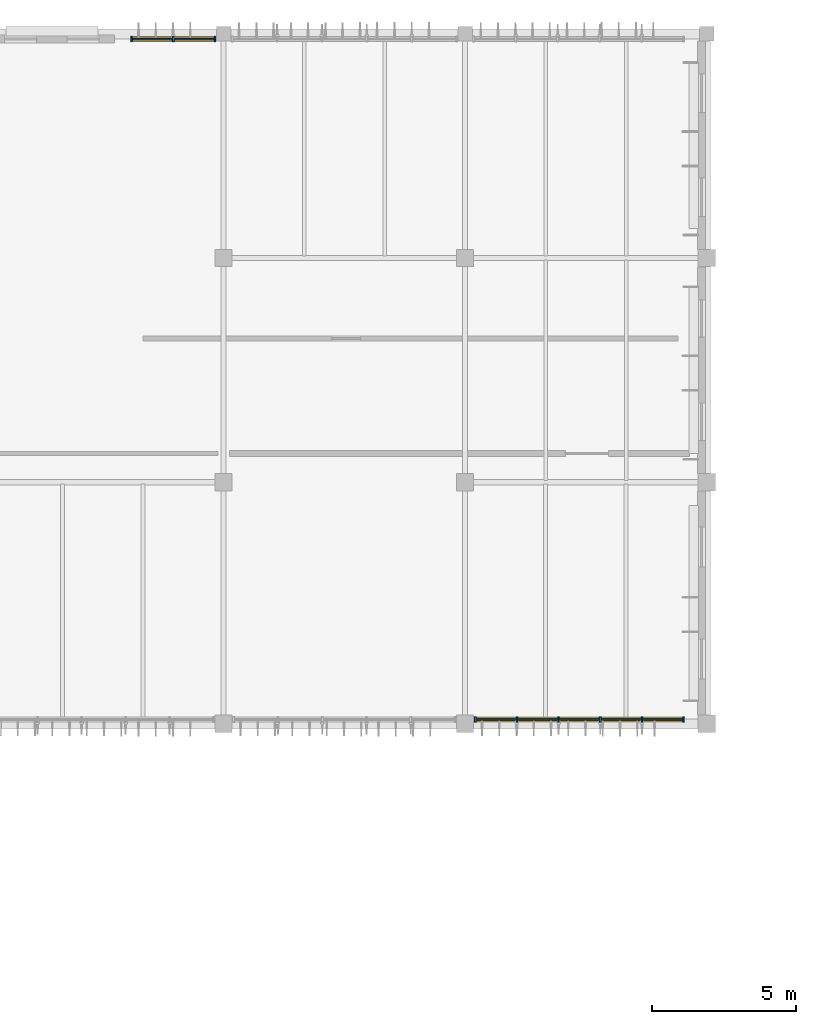
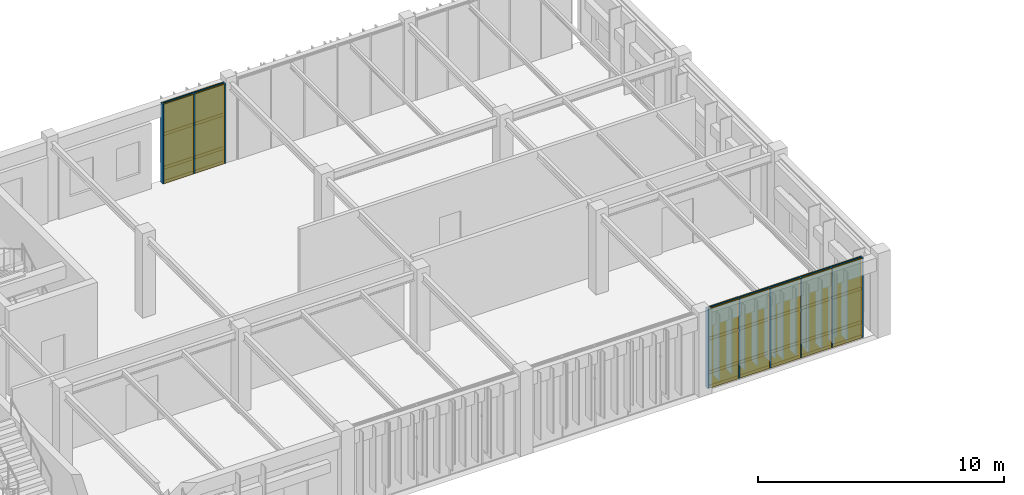
# One storey, part 87 of 104: 37 members, 21 plates, 2 curtain walls.
"""IFC4 building model written with IfcOpenShell, lengths in metres."""

from ifc_helpers import new_model, si_unit, direction, frame, frame_2d, origin, origin_2d, place, context, subcontext, project, spatial, rectangle, extrude, material, layer, layer_set, material_profile, profile_set, type_object, element, aggregate, save


model = new_model("IFC4")

# Units and contexts
model_context = context("Model", 3, precision=1e-05, world=origin(), true_north=direction((0.0, 1.0)))
body_context = subcontext(model_context, "Body", "Model", "MODEL_VIEW")
ifc_project = project(units=[si_unit("LENGTHUNIT", "METRE"), si_unit("AREAUNIT", "SQUARE_METRE"), si_unit("VOLUMEUNIT", "CUBIC_METRE"), si_unit("PLANEANGLEUNIT", "RADIAN"), si_unit("MASSUNIT", "GRAM", prefix="KILO")], contexts=[model_context])

# Member
ifc_material_1 = material(Name="Anodised Bronze Aluminium 6063-T6", Category="aluminium")
ifc_material_profile_1 = material_profile(ifc_material_1, rectangle(XDim=0.06005859375, YDim=0.179931640625, at=origin_2d()), Name="ALU MULLION 60x180")
ifc_profile_set_1 = profile_set([ifc_material_profile_1], Name="Anodised Bronze Aluminium 6063-T6")
member_type_1 = type_object("IfcMemberType", Name="Curtain-Wall Primary Mullion 60x180", PredefinedType="MULLION", material=ifc_profile_set_1)
site_placement = place(None, origin())
building_placement = place(site_placement, origin())
storey_placement = place(building_placement, frame((0.0, 0.0, 9.0)))
member_1_placement = place(storey_placement, frame((130.60009765625, 111.6201171875, 0.0), z_axis=(0.0, 0.0, 1.0), x_axis=(1.0, 0.0, 0.0)))
member_1 = element("IfcMember", 1, at=member_1_placement, type_object=member_type_1, Name="Mullion CWM-01 CW-V3-N3-L02-B1-M01", PredefinedType="MULLION", context=body_context, shape_type="SweptSolid", body=[
    extrude(rectangle(XDim=0.06005859375, YDim=0.179931640625, at=origin_2d()), origin(), (0.0, 0.0, 1.0), 3.9599609375),
])

member_2_placement = place(storey_placement, frame((132.050048828125, 111.6201171875, 0.0), z_axis=(0.0, 0.0, 1.0), x_axis=(1.0, 0.0, 0.0)))
member_2 = element("IfcMember", 2, at=member_2_placement, type_object=member_type_1, Name="Mullion CWM-01 CW-V3-N3-L02-B1-M02", PredefinedType="MULLION", context=body_context, shape_type="SweptSolid", body=[
    extrude(rectangle(XDim=0.06005859375, YDim=0.179931640625, at=origin_2d()), origin(), (0.0, 0.0, 1.0), 3.9599609375),
])

member_3_placement = place(storey_placement, frame((133.5, 111.6201171875, 0.0), z_axis=(0.0, 0.0, 1.0), x_axis=(1.0, 0.0, 0.0)))
member_3 = element("IfcMember", 3, at=member_3_placement, type_object=member_type_1, Name="Mullion CWM-01 CW-V3-N3-L02-B1-M03", PredefinedType="MULLION", context=body_context, shape_type="SweptSolid", body=[
    extrude(rectangle(XDim=0.06005859375, YDim=0.179931640625, at=origin_2d()), origin(), (0.0, 0.0, 1.0), 3.9599609375),
])

member_4_placement = place(storey_placement, frame((142.550048828125, 87.949951171875, 0.0), z_axis=(0.0, 0.0, 1.0), x_axis=(1.0, 0.0, 0.0)))
member_4 = element("IfcMember", 4, at=member_4_placement, type_object=member_type_1, Name="Mullion CWM-01 CW-V3-S2-L02-B3-M01", PredefinedType="MULLION", context=body_context, shape_type="SweptSolid", body=[
    extrude(rectangle(XDim=0.06005859375, YDim=0.179931640625, at=origin_2d()), origin(), (0.0, 0.0, 1.0), 3.9599609375),
])

member_5_placement = place(storey_placement, frame((144.0, 87.949951171875, 0.0), z_axis=(0.0, 0.0, 1.0), x_axis=(1.0, 0.0, 0.0)))
member_5 = element("IfcMember", 5, at=member_5_placement, type_object=member_type_1, Name="Mullion CWM-01 CW-V3-S2-L02-B3-M02", PredefinedType="MULLION", context=body_context, shape_type="SweptSolid", body=[
    extrude(rectangle(XDim=0.06005859375, YDim=0.179931640625, at=origin_2d()), origin(), (0.0, 0.0, 1.0), 3.9599609375),
])

member_6_placement = place(storey_placement, frame((145.449951171875, 87.949951171875, 0.0), z_axis=(0.0, 0.0, 1.0), x_axis=(1.0, 0.0, 0.0)))
member_6 = element("IfcMember", 6, at=member_6_placement, type_object=member_type_1, Name="Mullion CWM-01 CW-V3-S2-L02-B3-M03", PredefinedType="MULLION", context=body_context, shape_type="SweptSolid", body=[
    extrude(rectangle(XDim=0.06005859375, YDim=0.179931640625, at=origin_2d()), origin(), (0.0, 0.0, 1.0), 3.9599609375),
])

member_7_placement = place(storey_placement, frame((146.89990234375, 87.949951171875, 0.0), z_axis=(0.0, 0.0, 1.0), x_axis=(1.0, 0.0, 0.0)))
member_7 = element("IfcMember", 7, at=member_7_placement, type_object=member_type_1, Name="Mullion CWM-01 CW-V3-S2-L02-B3-M04", PredefinedType="MULLION", context=body_context, shape_type="SweptSolid", body=[
    extrude(rectangle(XDim=0.06005859375, YDim=0.179931640625, at=origin_2d()), origin(), (0.0, 0.0, 1.0), 3.9599609375),
])

member_8_placement = place(storey_placement, frame((148.35009765625, 87.949951171875, 0.0), z_axis=(0.0, 0.0, 1.0), x_axis=(1.0, 0.0, 0.0)))
member_8 = element("IfcMember", 8, at=member_8_placement, type_object=member_type_1, Name="Mullion CWM-01 CW-V3-S2-L02-B3-M05", PredefinedType="MULLION", context=body_context, shape_type="SweptSolid", body=[
    extrude(rectangle(XDim=0.06005859375, YDim=0.179931640625, at=origin_2d()), origin(), (0.0, 0.0, 1.0), 3.9599609375),
])

member_9_placement = place(storey_placement, frame((149.800048828125, 87.949951171875, 0.0), z_axis=(0.0, 0.0, 1.0), x_axis=(1.0, 0.0, 0.0)))
member_9 = element("IfcMember", 9, at=member_9_placement, type_object=member_type_1, Name="Mullion CWM-01 CW-V3-S2-L02-B3-M06", PredefinedType="MULLION", context=body_context, shape_type="SweptSolid", body=[
    extrude(rectangle(XDim=0.06005859375, YDim=0.179931640625, at=origin_2d()), origin(), (0.0, 0.0, 1.0), 3.9599609375),
])

ifc_material_profile_2 = material_profile(ifc_material_1, rectangle(XDim=0.06005859375, YDim=0.139892578125, at=origin_2d()), Name="ALU TRANSOM 60x140")
ifc_profile_set_2 = profile_set([ifc_material_profile_2], Name="Anodised Bronze Aluminium 6063-T6")
member_type_2 = type_object("IfcMemberType", Name="Curtain-Wall Transom 60x140", PredefinedType="USERDEFINED", material=ifc_profile_set_2)
member_10_placement = place(storey_placement, frame((130.635009765625, 111.6201171875, 0.0400390625), z_axis=(1.0, 0.0, 0.0), x_axis=(0.0, 1.0, 0.0)))
member_10 = element("IfcMember", 10, at=member_10_placement, type_object=member_type_2, Name="Transom CWT-01 CW-V3-N3-L02-B1-T01.1", ObjectType="TRANSOM", PredefinedType="USERDEFINED", context=body_context, shape_type="SweptSolid", body=[
    extrude(rectangle(XDim=0.06005859375, YDim=0.139892578125, at=origin_2d()), origin(), (0.0, 0.0, 1.0), 1.3798828125),
])

member_11_placement = place(storey_placement, frame((130.635009765625, 111.6201171875, 0.75), z_axis=(1.0, 0.0, 0.0), x_axis=(0.0, 1.0, 0.0)))
member_11 = element("IfcMember", 11, at=member_11_placement, type_object=member_type_2, Name="Transom CWT-01 CW-V3-N3-L02-B1-T01.2", ObjectType="TRANSOM", PredefinedType="USERDEFINED", context=body_context, shape_type="SweptSolid", body=[
    extrude(rectangle(XDim=0.06005859375, YDim=0.139892578125, at=origin_2d()), origin(), (0.0, 0.0, 1.0), 1.3798828125),
])

member_12_placement = place(storey_placement, frame((130.635009765625, 111.6201171875, 2.419189453125), z_axis=(1.0, 0.0, 0.0), x_axis=(0.0, 1.0, 0.0)))
member_12 = element("IfcMember", 12, at=member_12_placement, type_object=member_type_2, Name="Transom CWT-01 CW-V3-N3-L02-B1-T01.3", ObjectType="TRANSOM", PredefinedType="USERDEFINED", context=body_context, shape_type="SweptSolid", body=[
    extrude(rectangle(XDim=0.06005859375, YDim=0.139892578125, at=origin_2d()), origin(), (0.0, 0.0, 1.0), 1.3798828125),
])

member_13_placement = place(storey_placement, frame((130.635009765625, 111.6201171875, 3.919921875), z_axis=(1.0, 0.0, 0.0), x_axis=(0.0, 1.0, 0.0)))
member_13 = element("IfcMember", 13, at=member_13_placement, type_object=member_type_2, Name="Transom CWT-01 CW-V3-N3-L02-B1-T01.4", ObjectType="TRANSOM", PredefinedType="USERDEFINED", context=body_context, shape_type="SweptSolid", body=[
    extrude(rectangle(XDim=0.06005859375, YDim=0.139892578125, at=origin_2d()), origin(), (0.0, 0.0, 1.0), 1.3798828125),
])

member_14_placement = place(storey_placement, frame((132.0849609375, 111.6201171875, 0.0400390625), z_axis=(1.0, 0.0, 0.0), x_axis=(0.0, 1.0, 0.0)))
member_14 = element("IfcMember", 14, at=member_14_placement, type_object=member_type_2, Name="Transom CWT-01 CW-V3-N3-L02-B1-T02.1", ObjectType="TRANSOM", PredefinedType="USERDEFINED", context=body_context, shape_type="SweptSolid", body=[
    extrude(rectangle(XDim=0.06005859375, YDim=0.139892578125, at=origin_2d()), origin(), (0.0, 0.0, 1.0), 1.380126953125),
])

member_15_placement = place(storey_placement, frame((132.0849609375, 111.6201171875, 0.75), z_axis=(1.0, 0.0, 0.0), x_axis=(0.0, 1.0, 0.0)))
member_15 = element("IfcMember", 15, at=member_15_placement, type_object=member_type_2, Name="Transom CWT-01 CW-V3-N3-L02-B1-T02.2", ObjectType="TRANSOM", PredefinedType="USERDEFINED", context=body_context, shape_type="SweptSolid", body=[
    extrude(rectangle(XDim=0.06005859375, YDim=0.139892578125, at=origin_2d()), origin(), (0.0, 0.0, 1.0), 1.380126953125),
])

member_16_placement = place(storey_placement, frame((132.0849609375, 111.6201171875, 2.419189453125), z_axis=(1.0, 0.0, 0.0), x_axis=(0.0, 1.0, 0.0)))
member_16 = element("IfcMember", 16, at=member_16_placement, type_object=member_type_2, Name="Transom CWT-01 CW-V3-N3-L02-B1-T02.3", ObjectType="TRANSOM", PredefinedType="USERDEFINED", context=body_context, shape_type="SweptSolid", body=[
    extrude(rectangle(XDim=0.06005859375, YDim=0.139892578125, at=origin_2d()), origin(), (0.0, 0.0, 1.0), 1.380126953125),
])

member_17_placement = place(storey_placement, frame((132.0849609375, 111.6201171875, 3.919921875), z_axis=(1.0, 0.0, 0.0), x_axis=(0.0, 1.0, 0.0)))
member_17 = element("IfcMember", 17, at=member_17_placement, type_object=member_type_2, Name="Transom CWT-01 CW-V3-N3-L02-B1-T02.4", ObjectType="TRANSOM", PredefinedType="USERDEFINED", context=body_context, shape_type="SweptSolid", body=[
    extrude(rectangle(XDim=0.06005859375, YDim=0.139892578125, at=origin_2d()), origin(), (0.0, 0.0, 1.0), 1.380126953125),
])

member_18_placement = place(storey_placement, frame((142.5849609375, 87.949951171875, 0.0400390625), z_axis=(1.0, 0.0, 0.0), x_axis=(0.0, 1.0, 0.0)))
member_18 = element("IfcMember", 18, at=member_18_placement, type_object=member_type_2, Name="Transom CWT-01 CW-V3-S2-L02-B3-T01.1", ObjectType="TRANSOM", PredefinedType="USERDEFINED", context=body_context, shape_type="SweptSolid", body=[
    extrude(rectangle(XDim=0.06005859375, YDim=0.139892578125, at=origin_2d()), origin(), (0.0, 0.0, 1.0), 1.380126953125),
])

member_19_placement = place(storey_placement, frame((142.5849609375, 87.949951171875, 0.75), z_axis=(1.0, 0.0, 0.0), x_axis=(0.0, 1.0, 0.0)))
member_19 = element("IfcMember", 19, at=member_19_placement, type_object=member_type_2, Name="Transom CWT-01 CW-V3-S2-L02-B3-T01.2", ObjectType="TRANSOM", PredefinedType="USERDEFINED", context=body_context, shape_type="SweptSolid", body=[
    extrude(rectangle(XDim=0.06005859375, YDim=0.139892578125, at=origin_2d()), origin(), (0.0, 0.0, 1.0), 1.380126953125),
])

member_20_placement = place(storey_placement, frame((142.5849609375, 87.949951171875, 2.419189453125), z_axis=(1.0, 0.0, 0.0), x_axis=(0.0, 1.0, 0.0)))
member_20 = element("IfcMember", 20, at=member_20_placement, type_object=member_type_2, Name="Transom CWT-01 CW-V3-S2-L02-B3-T01.3", ObjectType="TRANSOM", PredefinedType="USERDEFINED", context=body_context, shape_type="SweptSolid", body=[
    extrude(rectangle(XDim=0.06005859375, YDim=0.139892578125, at=origin_2d()), origin(), (0.0, 0.0, 1.0), 1.380126953125),
])

member_21_placement = place(storey_placement, frame((142.5849609375, 87.949951171875, 3.919921875), z_axis=(1.0, 0.0, 0.0), x_axis=(0.0, 1.0, 0.0)))
member_21 = element("IfcMember", 21, at=member_21_placement, type_object=member_type_2, Name="Transom CWT-01 CW-V3-S2-L02-B3-T01.4", ObjectType="TRANSOM", PredefinedType="USERDEFINED", context=body_context, shape_type="SweptSolid", body=[
    extrude(rectangle(XDim=0.06005859375, YDim=0.139892578125, at=origin_2d()), origin(), (0.0, 0.0, 1.0), 1.380126953125),
])

member_22_placement = place(storey_placement, frame((144.034912109375, 87.949951171875, 0.0400390625), z_axis=(1.0, 0.0, 0.0), x_axis=(0.0, 1.0, 0.0)))
member_22 = element("IfcMember", 22, at=member_22_placement, type_object=member_type_2, Name="Transom CWT-01 CW-V3-S2-L02-B3-T02.1", ObjectType="TRANSOM", PredefinedType="USERDEFINED", context=body_context, shape_type="SweptSolid", body=[
    extrude(rectangle(XDim=0.06005859375, YDim=0.139892578125, at=origin_2d()), origin(), (0.0, 0.0, 1.0), 1.380126953125),
])

member_23_placement = place(storey_placement, frame((144.034912109375, 87.949951171875, 0.75), z_axis=(1.0, 0.0, 0.0), x_axis=(0.0, 1.0, 0.0)))
member_23 = element("IfcMember", 23, at=member_23_placement, type_object=member_type_2, Name="Transom CWT-01 CW-V3-S2-L02-B3-T02.2", ObjectType="TRANSOM", PredefinedType="USERDEFINED", context=body_context, shape_type="SweptSolid", body=[
    extrude(rectangle(XDim=0.06005859375, YDim=0.139892578125, at=origin_2d()), origin(), (0.0, 0.0, 1.0), 1.380126953125),
])

member_24_placement = place(storey_placement, frame((144.034912109375, 87.949951171875, 2.419189453125), z_axis=(1.0, 0.0, 0.0), x_axis=(0.0, 1.0, 0.0)))
member_24 = element("IfcMember", 24, at=member_24_placement, type_object=member_type_2, Name="Transom CWT-01 CW-V3-S2-L02-B3-T02.3", ObjectType="TRANSOM", PredefinedType="USERDEFINED", context=body_context, shape_type="SweptSolid", body=[
    extrude(rectangle(XDim=0.06005859375, YDim=0.139892578125, at=origin_2d()), origin(), (0.0, 0.0, 1.0), 1.380126953125),
])

member_25_placement = place(storey_placement, frame((144.034912109375, 87.949951171875, 3.919921875), z_axis=(1.0, 0.0, 0.0), x_axis=(0.0, 1.0, 0.0)))
member_25 = element("IfcMember", 25, at=member_25_placement, type_object=member_type_2, Name="Transom CWT-01 CW-V3-S2-L02-B3-T02.4", ObjectType="TRANSOM", PredefinedType="USERDEFINED", context=body_context, shape_type="SweptSolid", body=[
    extrude(rectangle(XDim=0.06005859375, YDim=0.139892578125, at=origin_2d()), origin(), (0.0, 0.0, 1.0), 1.380126953125),
])

member_26_placement = place(storey_placement, frame((145.485107421875, 87.949951171875, 0.0400390625), z_axis=(1.0, 0.0, 0.0), x_axis=(0.0, 1.0, 0.0)))
member_26 = element("IfcMember", 26, at=member_26_placement, type_object=member_type_2, Name="Transom CWT-01 CW-V3-S2-L02-B3-T03.1", ObjectType="TRANSOM", PredefinedType="USERDEFINED", context=body_context, shape_type="SweptSolid", body=[
    extrude(rectangle(XDim=0.06005859375, YDim=0.139892578125, at=origin_2d()), origin(), (0.0, 0.0, 1.0), 1.3798828125),
])

member_27_placement = place(storey_placement, frame((145.485107421875, 87.949951171875, 0.75), z_axis=(1.0, 0.0, 0.0), x_axis=(0.0, 1.0, 0.0)))
member_27 = element("IfcMember", 27, at=member_27_placement, type_object=member_type_2, Name="Transom CWT-01 CW-V3-S2-L02-B3-T03.2", ObjectType="TRANSOM", PredefinedType="USERDEFINED", context=body_context, shape_type="SweptSolid", body=[
    extrude(rectangle(XDim=0.06005859375, YDim=0.139892578125, at=origin_2d()), origin(), (0.0, 0.0, 1.0), 1.3798828125),
])

member_28_placement = place(storey_placement, frame((145.485107421875, 87.949951171875, 2.419189453125), z_axis=(1.0, 0.0, 0.0), x_axis=(0.0, 1.0, 0.0)))
member_28 = element("IfcMember", 28, at=member_28_placement, type_object=member_type_2, Name="Transom CWT-01 CW-V3-S2-L02-B3-T03.3", ObjectType="TRANSOM", PredefinedType="USERDEFINED", context=body_context, shape_type="SweptSolid", body=[
    extrude(rectangle(XDim=0.06005859375, YDim=0.139892578125, at=origin_2d()), origin(), (0.0, 0.0, 1.0), 1.3798828125),
])

member_29_placement = place(storey_placement, frame((145.485107421875, 87.949951171875, 3.919921875), z_axis=(1.0, 0.0, 0.0), x_axis=(0.0, 1.0, 0.0)))
member_29 = element("IfcMember", 29, at=member_29_placement, type_object=member_type_2, Name="Transom CWT-01 CW-V3-S2-L02-B3-T03.4", ObjectType="TRANSOM", PredefinedType="USERDEFINED", context=body_context, shape_type="SweptSolid", body=[
    extrude(rectangle(XDim=0.06005859375, YDim=0.139892578125, at=origin_2d()), origin(), (0.0, 0.0, 1.0), 1.3798828125),
])

member_30_placement = place(storey_placement, frame((146.93505859375, 87.949951171875, 0.0400390625), z_axis=(1.0, 0.0, 0.0), x_axis=(0.0, 1.0, 0.0)))
member_30 = element("IfcMember", 30, at=member_30_placement, type_object=member_type_2, Name="Transom CWT-01 CW-V3-S2-L02-B3-T04.1", ObjectType="TRANSOM", PredefinedType="USERDEFINED", context=body_context, shape_type="SweptSolid", body=[
    extrude(rectangle(XDim=0.06005859375, YDim=0.139892578125, at=origin_2d()), origin(), (0.0, 0.0, 1.0), 1.3798828125),
])

member_31_placement = place(storey_placement, frame((146.93505859375, 87.949951171875, 0.75), z_axis=(1.0, 0.0, 0.0), x_axis=(0.0, 1.0, 0.0)))
member_31 = element("IfcMember", 31, at=member_31_placement, type_object=member_type_2, Name="Transom CWT-01 CW-V3-S2-L02-B3-T04.2", ObjectType="TRANSOM", PredefinedType="USERDEFINED", context=body_context, shape_type="SweptSolid", body=[
    extrude(rectangle(XDim=0.06005859375, YDim=0.139892578125, at=origin_2d()), origin(), (0.0, 0.0, 1.0), 1.3798828125),
])

member_32_placement = place(storey_placement, frame((146.93505859375, 87.949951171875, 2.419189453125), z_axis=(1.0, 0.0, 0.0), x_axis=(0.0, 1.0, 0.0)))
member_32 = element("IfcMember", 32, at=member_32_placement, type_object=member_type_2, Name="Transom CWT-01 CW-V3-S2-L02-B3-T04.3", ObjectType="TRANSOM", PredefinedType="USERDEFINED", context=body_context, shape_type="SweptSolid", body=[
    extrude(rectangle(XDim=0.06005859375, YDim=0.139892578125, at=origin_2d()), origin(), (0.0, 0.0, 1.0), 1.3798828125),
])

member_33_placement = place(storey_placement, frame((146.93505859375, 87.949951171875, 3.919921875), z_axis=(1.0, 0.0, 0.0), x_axis=(0.0, 1.0, 0.0)))
member_33 = element("IfcMember", 33, at=member_33_placement, type_object=member_type_2, Name="Transom CWT-01 CW-V3-S2-L02-B3-T04.4", ObjectType="TRANSOM", PredefinedType="USERDEFINED", context=body_context, shape_type="SweptSolid", body=[
    extrude(rectangle(XDim=0.06005859375, YDim=0.139892578125, at=origin_2d()), origin(), (0.0, 0.0, 1.0), 1.3798828125),
])

member_34_placement = place(storey_placement, frame((148.385009765625, 87.949951171875, 0.0400390625), z_axis=(1.0, 0.0, 0.0), x_axis=(0.0, 1.0, 0.0)))
member_34 = element("IfcMember", 34, at=member_34_placement, type_object=member_type_2, Name="Transom CWT-01 CW-V3-S2-L02-B3-T05.1", ObjectType="TRANSOM", PredefinedType="USERDEFINED", context=body_context, shape_type="SweptSolid", body=[
    extrude(rectangle(XDim=0.06005859375, YDim=0.139892578125, at=origin_2d()), origin(), (0.0, 0.0, 1.0), 1.3798828125),
])

member_35_placement = place(storey_placement, frame((148.385009765625, 87.949951171875, 0.75), z_axis=(1.0, 0.0, 0.0), x_axis=(0.0, 1.0, 0.0)))
member_35 = element("IfcMember", 35, at=member_35_placement, type_object=member_type_2, Name="Transom CWT-01 CW-V3-S2-L02-B3-T05.2", ObjectType="TRANSOM", PredefinedType="USERDEFINED", context=body_context, shape_type="SweptSolid", body=[
    extrude(rectangle(XDim=0.06005859375, YDim=0.139892578125, at=origin_2d()), origin(), (0.0, 0.0, 1.0), 1.3798828125),
])

member_36_placement = place(storey_placement, frame((148.385009765625, 87.949951171875, 2.419189453125), z_axis=(1.0, 0.0, 0.0), x_axis=(0.0, 1.0, 0.0)))
member_36 = element("IfcMember", 36, at=member_36_placement, type_object=member_type_2, Name="Transom CWT-01 CW-V3-S2-L02-B3-T05.3", ObjectType="TRANSOM", PredefinedType="USERDEFINED", context=body_context, shape_type="SweptSolid", body=[
    extrude(rectangle(XDim=0.06005859375, YDim=0.139892578125, at=origin_2d()), origin(), (0.0, 0.0, 1.0), 1.3798828125),
])

member_37_placement = place(storey_placement, frame((148.385009765625, 87.949951171875, 3.919921875), z_axis=(1.0, 0.0, 0.0), x_axis=(0.0, 1.0, 0.0)))
member_37 = element("IfcMember", 37, at=member_37_placement, type_object=member_type_2, Name="Transom CWT-01 CW-V3-S2-L02-B3-T05.4", ObjectType="TRANSOM", PredefinedType="USERDEFINED", context=body_context, shape_type="SweptSolid", body=[
    extrude(rectangle(XDim=0.06005859375, YDim=0.139892578125, at=origin_2d()), origin(), (0.0, 0.0, 1.0), 1.3798828125),
])

# Plate
ifc_material_2 = material(Name="Insulated Bronze Aluminium Spandrel Panel", Category="aluminium")
ifc_layer_1 = layer(ifc_material_2, 0.050048828125, Name="Insulated Bronze Aluminium Spandrel Panel")
ifc_layer_set_1 = layer_set([ifc_layer_1], Name="Insulated Bronze Aluminium Spandrel Panel")
plate_type_1 = type_object("IfcPlateType", Name="Insulated Anodised Aluminium Spandrel Cassette 50", PredefinedType="CURTAIN_PANEL", material=ifc_layer_set_1)
plate_1_placement = place(storey_placement, frame((131.324951171875, 111.6201171875, 0.070068359375), z_axis=(0.0, 0.0, 1.0), x_axis=(1.0, 0.0, 0.0)))
plate_1 = element("IfcPlate", 38, at=plate_1_placement, type_object=plate_type_1, Name="Curtain Panel CWP-03 CW-V3-N3-L02-B1-P01.1", PredefinedType="CURTAIN_PANEL", context=body_context, shape_type="SweptSolid", body=[
    extrude(rectangle(XDim=1.3798828125, YDim=0.050048828125, at=origin_2d()), origin(), (0.0, 0.0, 1.0), 0.64990234375),
])

plate_2_placement = place(storey_placement, frame((132.77490234375, 111.6201171875, 0.070068359375), z_axis=(0.0, 0.0, 1.0), x_axis=(1.0, 0.0, 0.0)))
plate_2 = element("IfcPlate", 39, at=plate_2_placement, type_object=plate_type_1, Name="Curtain Panel CWP-03 CW-V3-N3-L02-B1-P02.1", PredefinedType="CURTAIN_PANEL", context=body_context, shape_type="SweptSolid", body=[
    extrude(rectangle(XDim=1.3798828125, YDim=0.050048828125, at=origin_2d()), origin(), (0.0, 0.0, 1.0), 0.64990234375),
])

plate_3_placement = place(storey_placement, frame((143.27490234375, 87.949951171875, 0.070068359375), z_axis=(0.0, 0.0, 1.0), x_axis=(1.0, 0.0, 0.0)))
plate_3 = element("IfcPlate", 40, at=plate_3_placement, type_object=plate_type_1, Name="Curtain Panel CWP-03 CW-V3-S2-L02-B3-P01.1", PredefinedType="CURTAIN_PANEL", context=body_context, shape_type="SweptSolid", body=[
    extrude(rectangle(XDim=1.3798828125, YDim=0.050048828125, at=origin_2d()), origin(), (0.0, 0.0, 1.0), 0.64990234375),
])

plate_4_placement = place(storey_placement, frame((144.72509765625, 87.949951171875, 0.070068359375), z_axis=(0.0, 0.0, 1.0), x_axis=(1.0, 0.0, 0.0)))
plate_4 = element("IfcPlate", 41, at=plate_4_placement, type_object=plate_type_1, Name="Curtain Panel CWP-03 CW-V3-S2-L02-B3-P02.1", PredefinedType="CURTAIN_PANEL", context=body_context, shape_type="SweptSolid", body=[
    extrude(rectangle(XDim=1.3798828125, YDim=0.050048828125, at=origin_2d()), origin(), (0.0, 0.0, 1.0), 0.64990234375),
])

plate_5_placement = place(storey_placement, frame((146.175048828125, 87.949951171875, 0.070068359375), z_axis=(0.0, 0.0, 1.0), x_axis=(1.0, 0.0, 0.0)))
plate_5 = element("IfcPlate", 42, at=plate_5_placement, type_object=plate_type_1, Name="Curtain Panel CWP-03 CW-V3-S2-L02-B3-P03.1", PredefinedType="CURTAIN_PANEL", context=body_context, shape_type="SweptSolid", body=[
    extrude(rectangle(XDim=1.3798828125, YDim=0.050048828125, at=origin_2d()), origin(), (0.0, 0.0, 1.0), 0.64990234375),
])

plate_6_placement = place(storey_placement, frame((147.625, 87.949951171875, 0.070068359375), z_axis=(0.0, 0.0, 1.0), x_axis=(1.0, 0.0, 0.0)))
plate_6 = element("IfcPlate", 43, at=plate_6_placement, type_object=plate_type_1, Name="Curtain Panel CWP-03 CW-V3-S2-L02-B3-P04.1", PredefinedType="CURTAIN_PANEL", context=body_context, shape_type="SweptSolid", body=[
    extrude(rectangle(XDim=1.3798828125, YDim=0.050048828125, at=origin_2d()), origin(), (0.0, 0.0, 1.0), 0.64990234375),
])

plate_7_placement = place(storey_placement, frame((149.074951171875, 87.949951171875, 0.070068359375), z_axis=(0.0, 0.0, 1.0), x_axis=(1.0, 0.0, 0.0)))
plate_7 = element("IfcPlate", 44, at=plate_7_placement, type_object=plate_type_1, Name="Curtain Panel CWP-03 CW-V3-S2-L02-B3-P05.1", PredefinedType="CURTAIN_PANEL", context=body_context, shape_type="SweptSolid", body=[
    extrude(rectangle(XDim=1.3798828125, YDim=0.050048828125, at=origin_2d()), origin(), (0.0, 0.0, 1.0), 0.64990234375),
])

ifc_material_3 = material(Name="Solar-Control Tempered Double Glazing", Category="glass")
ifc_layer_2 = layer(ifc_material_3, 0.0380859375, Name="Solar-Control Tempered Double Glazing")
ifc_layer_set_2 = layer_set([ifc_layer_2], Name="Solar-Control Tempered Double Glazing")
plate_type_2 = type_object("IfcPlateType", Name="Solar-Control Vision Glazing Unit 38", PredefinedType="CURTAIN_PANEL", material=ifc_layer_set_2)
plate_8_placement = place(storey_placement, frame((131.324951171875, 111.6201171875, 0.7802734375), z_axis=(0.0, 0.0, 1.0), x_axis=(1.0, 0.0, 0.0)))
plate_8 = element("IfcPlate", 45, at=plate_8_placement, type_object=plate_type_2, Name="Curtain Panel CWP-02 CW-V3-N3-L02-B1-P01.2", PredefinedType="CURTAIN_PANEL", context=body_context, shape_type="SweptSolid", body=[
    extrude(rectangle(XDim=1.3798828125, YDim=0.0380859375, at=origin_2d()), origin(), (0.0, 0.0, 1.0), 1.609130859375),
])

plate_9_placement = place(storey_placement, frame((131.324951171875, 111.6201171875, 2.44921875), z_axis=(0.0, 0.0, 1.0), x_axis=(1.0, 0.0, 0.0)))
plate_9 = element("IfcPlate", 46, at=plate_9_placement, type_object=plate_type_2, Name="Curtain Panel CWP-02 CW-V3-N3-L02-B1-P01.3", PredefinedType="CURTAIN_PANEL", context=body_context, shape_type="SweptSolid", body=[
    extrude(rectangle(XDim=1.3798828125, YDim=0.0380859375, at=origin_2d()), origin(), (0.0, 0.0, 1.0), 1.44091796875),
])

plate_10_placement = place(storey_placement, frame((132.77490234375, 111.6201171875, 0.7802734375), z_axis=(0.0, 0.0, 1.0), x_axis=(1.0, 0.0, 0.0)))
plate_10 = element("IfcPlate", 47, at=plate_10_placement, type_object=plate_type_2, Name="Curtain Panel CWP-02 CW-V3-N3-L02-B1-P02.2", PredefinedType="CURTAIN_PANEL", context=body_context, shape_type="SweptSolid", body=[
    extrude(rectangle(XDim=1.3798828125, YDim=0.0380859375, at=origin_2d()), origin(), (0.0, 0.0, 1.0), 1.609130859375),
])

plate_11_placement = place(storey_placement, frame((132.77490234375, 111.6201171875, 2.44921875), z_axis=(0.0, 0.0, 1.0), x_axis=(1.0, 0.0, 0.0)))
plate_11 = element("IfcPlate", 48, at=plate_11_placement, type_object=plate_type_2, Name="Curtain Panel CWP-02 CW-V3-N3-L02-B1-P02.3", PredefinedType="CURTAIN_PANEL", context=body_context, shape_type="SweptSolid", body=[
    extrude(rectangle(XDim=1.3798828125, YDim=0.0380859375, at=origin_2d()), origin(), (0.0, 0.0, 1.0), 1.44091796875),
])

plate_12_placement = place(storey_placement, frame((143.27490234375, 87.949951171875, 0.7802734375), z_axis=(0.0, 0.0, 1.0), x_axis=(1.0, 0.0, 0.0)))
plate_12 = element("IfcPlate", 49, at=plate_12_placement, type_object=plate_type_2, Name="Curtain Panel CWP-02 CW-V3-S2-L02-B3-P01.2", PredefinedType="CURTAIN_PANEL", context=body_context, shape_type="SweptSolid", body=[
    extrude(rectangle(XDim=1.3798828125, YDim=0.0380859375, at=origin_2d()), origin(), (0.0, 0.0, 1.0), 1.609130859375),
])

plate_13_placement = place(storey_placement, frame((143.27490234375, 87.949951171875, 2.44921875), z_axis=(0.0, 0.0, 1.0), x_axis=(1.0, 0.0, 0.0)))
plate_13 = element("IfcPlate", 50, at=plate_13_placement, type_object=plate_type_2, Name="Curtain Panel CWP-02 CW-V3-S2-L02-B3-P01.3", PredefinedType="CURTAIN_PANEL", context=body_context, shape_type="SweptSolid", body=[
    extrude(rectangle(XDim=1.3798828125, YDim=0.0380859375, at=origin_2d()), origin(), (0.0, 0.0, 1.0), 1.44091796875),
])

plate_14_placement = place(storey_placement, frame((144.72509765625, 87.949951171875, 0.7802734375), z_axis=(0.0, 0.0, 1.0), x_axis=(1.0, 0.0, 0.0)))
plate_14 = element("IfcPlate", 51, at=plate_14_placement, type_object=plate_type_2, Name="Curtain Panel CWP-02 CW-V3-S2-L02-B3-P02.2", PredefinedType="CURTAIN_PANEL", context=body_context, shape_type="SweptSolid", body=[
    extrude(rectangle(XDim=1.3798828125, YDim=0.0380859375, at=origin_2d()), origin(), (0.0, 0.0, 1.0), 1.609130859375),
])

plate_15_placement = place(storey_placement, frame((144.72509765625, 87.949951171875, 2.44921875), z_axis=(0.0, 0.0, 1.0), x_axis=(1.0, 0.0, 0.0)))
plate_15 = element("IfcPlate", 52, at=plate_15_placement, type_object=plate_type_2, Name="Curtain Panel CWP-02 CW-V3-S2-L02-B3-P02.3", PredefinedType="CURTAIN_PANEL", context=body_context, shape_type="SweptSolid", body=[
    extrude(rectangle(XDim=1.3798828125, YDim=0.0380859375, at=origin_2d()), origin(), (0.0, 0.0, 1.0), 1.44091796875),
])

plate_16_placement = place(storey_placement, frame((146.175048828125, 87.949951171875, 0.7802734375), z_axis=(0.0, 0.0, 1.0), x_axis=(1.0, 0.0, 0.0)))
plate_16 = element("IfcPlate", 53, at=plate_16_placement, type_object=plate_type_2, Name="Curtain Panel CWP-02 CW-V3-S2-L02-B3-P03.2", PredefinedType="CURTAIN_PANEL", context=body_context, shape_type="SweptSolid", body=[
    extrude(rectangle(XDim=1.3798828125, YDim=0.0380859375, at=origin_2d()), origin(), (0.0, 0.0, 1.0), 1.609130859375),
])

plate_17_placement = place(storey_placement, frame((146.175048828125, 87.949951171875, 2.44921875), z_axis=(0.0, 0.0, 1.0), x_axis=(1.0, 0.0, 0.0)))
plate_17 = element("IfcPlate", 54, at=plate_17_placement, type_object=plate_type_2, Name="Curtain Panel CWP-02 CW-V3-S2-L02-B3-P03.3", PredefinedType="CURTAIN_PANEL", context=body_context, shape_type="SweptSolid", body=[
    extrude(rectangle(XDim=1.3798828125, YDim=0.0380859375, at=origin_2d()), origin(), (0.0, 0.0, 1.0), 1.44091796875),
])

plate_18_placement = place(storey_placement, frame((147.625, 87.949951171875, 0.7802734375), z_axis=(0.0, 0.0, 1.0), x_axis=(1.0, 0.0, 0.0)))
plate_18 = element("IfcPlate", 55, at=plate_18_placement, type_object=plate_type_2, Name="Curtain Panel CWP-02 CW-V3-S2-L02-B3-P04.2", PredefinedType="CURTAIN_PANEL", context=body_context, shape_type="SweptSolid", body=[
    extrude(rectangle(XDim=1.3798828125, YDim=0.0380859375, at=origin_2d()), origin(), (0.0, 0.0, 1.0), 1.609130859375),
])

plate_19_placement = place(storey_placement, frame((147.625, 87.949951171875, 2.44921875), z_axis=(0.0, 0.0, 1.0), x_axis=(1.0, 0.0, 0.0)))
plate_19 = element("IfcPlate", 56, at=plate_19_placement, type_object=plate_type_2, Name="Curtain Panel CWP-02 CW-V3-S2-L02-B3-P04.3", PredefinedType="CURTAIN_PANEL", context=body_context, shape_type="SweptSolid", body=[
    extrude(rectangle(XDim=1.3798828125, YDim=0.0380859375, at=origin_2d()), origin(), (0.0, 0.0, 1.0), 1.44091796875),
])

plate_20_placement = place(storey_placement, frame((149.074951171875, 87.949951171875, 0.7802734375), z_axis=(0.0, 0.0, 1.0), x_axis=(1.0, 0.0, 0.0)))
plate_20 = element("IfcPlate", 57, at=plate_20_placement, type_object=plate_type_2, Name="Curtain Panel CWP-02 CW-V3-S2-L02-B3-P05.2", PredefinedType="CURTAIN_PANEL", context=body_context, shape_type="SweptSolid", body=[
    extrude(rectangle(XDim=1.3798828125, YDim=0.0380859375, at=origin_2d()), origin(), (0.0, 0.0, 1.0), 1.609130859375),
])

plate_21_placement = place(storey_placement, frame((149.074951171875, 87.949951171875, 2.44921875), z_axis=(0.0, 0.0, 1.0), x_axis=(1.0, 0.0, 0.0)))
plate_21 = element("IfcPlate", 58, at=plate_21_placement, type_object=plate_type_2, Name="Curtain Panel CWP-02 CW-V3-S2-L02-B3-P05.3", PredefinedType="CURTAIN_PANEL", context=body_context, shape_type="SweptSolid", body=[
    extrude(rectangle(XDim=1.3798828125, YDim=0.0380859375, at=origin_2d()), origin(), (0.0, 0.0, 1.0), 1.44091796875),
])

# Site, building, storey
site = spatial("IfcSite", under=ifc_project, at=site_placement, CompositionType="ELEMENT")
building = spatial("IfcBuilding", under=site, at=building_placement, Name="Tazoul Stagehouse", CompositionType="ELEMENT")
storey = spatial("IfcBuildingStorey", under=building, at=storey_placement, Name="L02", CompositionType="ELEMENT", Elevation=9.0)

# Curtain wall
curtain_wall_type = type_object("IfcCurtainWallType", Name="Rehearsal North Daylight Curtain Wall", PredefinedType="NOTDEFINED", material=ifc_material_1)
curtain_wall_1_placement = place(storey_placement, frame((130.60009765625, 111.6201171875, 0.0), z_axis=(0.0, 0.0, 1.0), x_axis=(1.0, 0.0, 0.0)))
curtain_wall_1 = element("IfcCurtainWall", 59, at=curtain_wall_1_placement, inside=storey, type_object=curtain_wall_type, Name="L02 Curtain Wall CW-04 (CW-V3-N3-L02-B1)", PredefinedType="NOTDEFINED", context=body_context, shape_type="SweptSolid", body=[
    extrude(rectangle(XDim=2.89990234375, YDim=0.179931640625, at=frame_2d((1.449951171875, 0.0))), origin(), (0.0, 0.0, 1.0), 3.9599609375),
])

aggregate(curtain_wall_1, [member_1, member_2, member_3, member_10, member_11, member_12, member_13, plate_1, plate_8, plate_9, member_14, member_15, member_16, member_17, plate_2, plate_10, plate_11])

curtain_wall_2_placement = place(storey_placement, frame((142.550048828125, 87.949951171875, 0.0), z_axis=(0.0, 0.0, 1.0), x_axis=(1.0, 0.0, 0.0)))
curtain_wall_2 = element("IfcCurtainWall", 60, at=curtain_wall_2_placement, inside=storey, type_object=curtain_wall_type, Name="L02 Curtain Wall CW-04 (CW-V3-S2-L02-B3)", PredefinedType="NOTDEFINED", context=body_context, shape_type="SweptSolid", body=[
    extrude(rectangle(XDim=7.25, YDim=0.179931640625, at=frame_2d((3.625, 0.0))), origin(), (0.0, 0.0, 1.0), 3.9599609375),
])

aggregate(curtain_wall_2, [member_4, member_5, member_6, member_7, member_8, member_9, member_18, member_19, member_20, member_21, plate_3, plate_12, plate_13, member_22, member_23, member_24, member_25, plate_4, plate_14, plate_15, member_26, member_27, member_28, member_29, plate_5, plate_16, plate_17, member_30, member_31, member_32, member_33, plate_6, plate_18, plate_19, member_34, member_35, member_36, member_37, plate_7, plate_20, plate_21])

save(model, "model.ifc")
